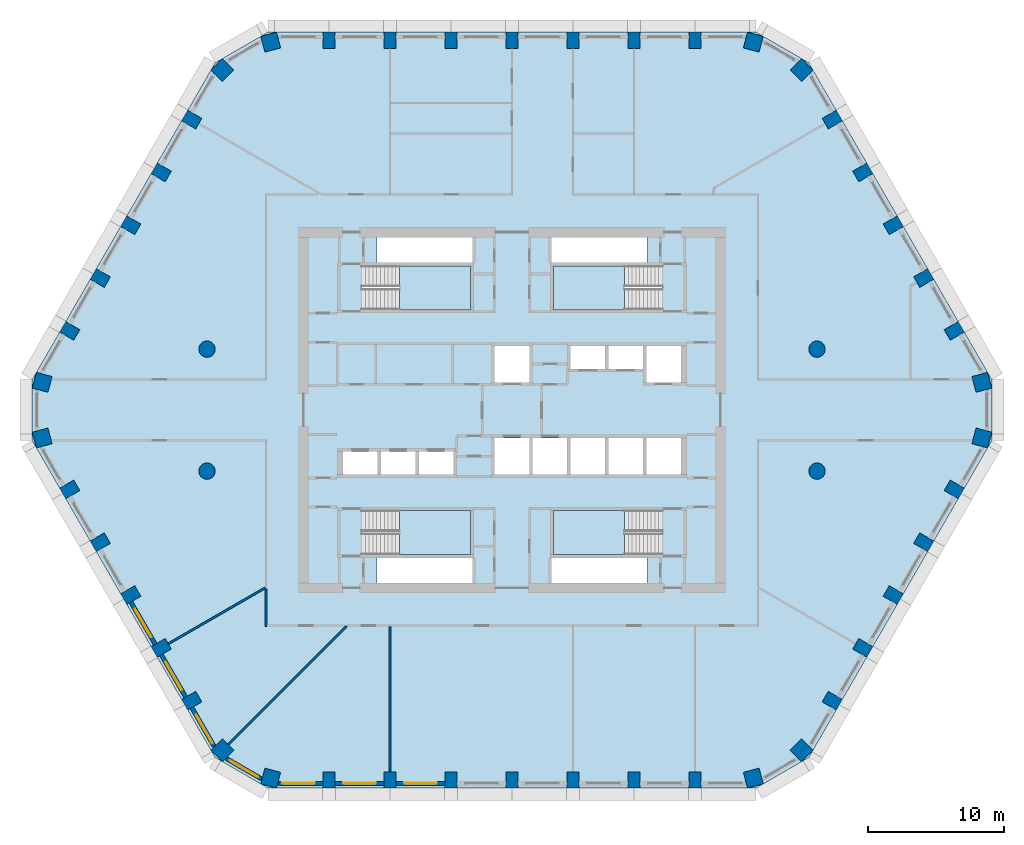
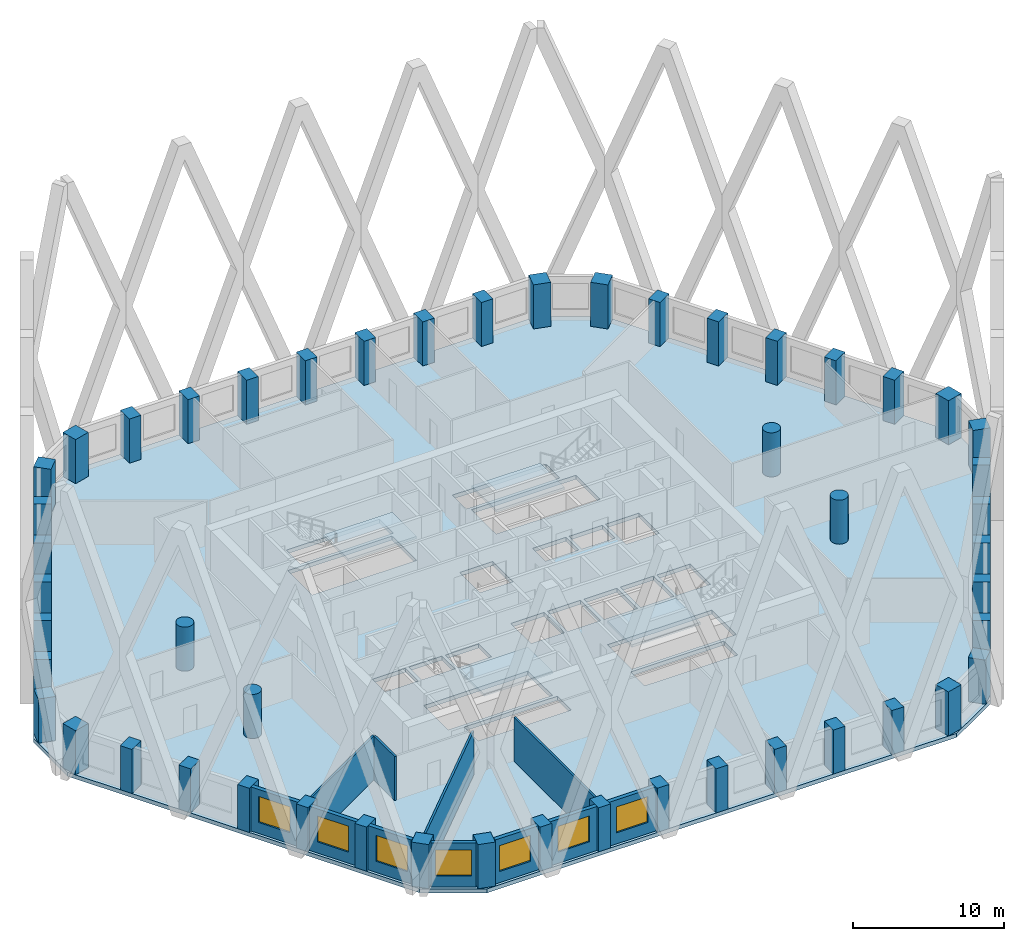
# One storey, part 1 of 17: 50 columns, 11 walls, 7 windows, 5 slabs, 7 openings, 4 elements without a shape of their own.
"""IFC4 building model written with IfcOpenShell, lengths in metres."""

from ifc_helpers import new_model, si_unit, direction, frame, frame_2d, origin, origin_2d, place, context, subcontext, project, spatial, polyline, rectangle, circle, outline, extrude, material, layer, layer_set, material_profile, profile_set, type_object, element, fill, aggregate, save


model = new_model("IFC4")

# Units and contexts
model_context = context("Model", 3, precision=1e-05, world=origin(), true_north=direction((0.0, 1.0)))
body_context = subcontext(model_context, "Body", "Model", "MODEL_VIEW")
ifc_project = project(units=[si_unit("LENGTHUNIT", "METRE"), si_unit("AREAUNIT", "SQUARE_METRE"), si_unit("VOLUMEUNIT", "CUBIC_METRE"), si_unit("PLANEANGLEUNIT", "RADIAN"), si_unit("MASSUNIT", "GRAM", prefix="KILO")], contexts=[model_context])

# Site, building, storey
site_placement = place(None, origin())
site = spatial("IfcSite", under=ifc_project, at=site_placement, CompositionType="ELEMENT")
building_placement = place(site_placement, origin())
building = spatial("IfcBuilding", under=site, at=building_placement, Name="Dhurran Vertical Campus", CompositionType="ELEMENT")
storey_placement = place(building_placement, frame((0.0, 0.0, 156.0)))
storey = spatial("IfcBuildingStorey", under=building, at=storey_placement, Name="L38", CompositionType="ELEMENT", Elevation=156.0)

# Columns
ifc_material_1 = material(Name="Concrete C60/75", Category="concrete")
ifc_material_profile_1 = material_profile(ifc_material_1, rectangle(XDim=1.199951171875, YDim=1.199951171875, at=origin_2d()), Name="RC 1200x1200")
ifc_profile_set_1 = profile_set([ifc_material_profile_1], Name="Concrete C60/75")
column_type_1 = type_object("IfcColumnType", Name="FR COL RC 1200x1200 C60/75", PredefinedType="COLUMN", material=ifc_profile_set_1)
for number, where, z_axis, x_axis, name in (
    (1, (-17.802978515625, -27.147705078125, 0.0), (0.0, 0.0, 1.0), (0.965925826289, -0.258819045103, 0.0), "Perimeter pier PP3.00"),
    (2, (17.802978515625, -27.147705078125, 0.0), (0.0, 0.0, 1.0), (0.965925826289, 0.258819045103, 0.0), "Perimeter pier PP3.08"),
    (3, (21.359130859375, -25.0947265625, 0.0), (0.0, 0.0, 1.0), (0.707106781187, 0.707106781187, 0.0), "Perimeter pier PP3.09"),
    (4, (34.662353515625, -2.052978515625, 0.0), (0.0, 0.0, 1.0), (0.258819045103, 0.965925826289, 0.0), "Perimeter pier PP3.15"),
    (5, (34.662353515625, 2.052978515625, 0.0), (0.0, 0.0, 1.0), (-0.258819045103, 0.965925826289, 0.0), "Perimeter pier PP3.16"),
    (6, (21.359130859375, 25.0947265625, 0.0), (0.0, 0.0, 1.0), (-0.707106781187, 0.707106781187, 0.0), "Perimeter pier PP3.22"),
    (7, (17.802978515625, 27.147705078125, 0.0), (0.0, 0.0, 1.0), (-0.965925826289, 0.258819045103, 0.0), "Perimeter pier PP3.23"),
    (8, (-17.802978515625, 27.147705078125, 0.0), (0.0, 0.0, 1.0), (-0.965925826289, -0.258819045103, 0.0), "Perimeter pier PP3.31"),
    (9, (-21.359130859375, 25.0947265625, 0.0), (0.0, 0.0, 1.0), (-0.707106781187, -0.707106781187, 0.0), "Perimeter pier PP3.32"),
    (10, (-34.662353515625, 2.052978515625, 0.0), (0.0, 0.0, 1.0), (-0.258819045103, -0.965925826289, 0.0), "Perimeter pier PP3.38"),
    (11, (-34.662353515625, -2.052978515625, 0.0), (0.0, 0.0, 1.0), (0.258819045103, -0.965925826289, 0.0), "Perimeter pier PP3.39"),
    (12, (-21.359130859375, -25.0947265625, 0.0), (0.0, 0.0, 1.0), (0.707106781187, -0.707106781187, 0.0), "Perimeter pier PP3.45"),
):
    element("IfcColumn", number, at=place(storey_placement, frame(where, z_axis=z_axis, x_axis=x_axis)), inside=storey, type_object=column_type_1, Name=name, PredefinedType="COLUMN", context=body_context, shape_type="SweptSolid", body=[
        extrude(rectangle(XDim=1.199951171875, YDim=1.199951171875, at=origin_2d()), origin(), (0.0, 0.0, 1.0), 3.574951171875),
    ])
ifc_material_2 = material(Name="Concrete C60/75", Category="concrete")
ifc_material_profile_2 = material_profile(ifc_material_2, rectangle(XDim=0.89990234375, YDim=1.199951171875, at=origin_2d()), Name="RC 900x1200")
ifc_profile_set_2 = profile_set([ifc_material_profile_2], Name="Concrete C60/75")
column_type_2 = type_object("IfcColumnType", Name="FR COL RC 900x1200 C60/75", PredefinedType="COLUMN", material=ifc_profile_set_2)
for number, where, z_axis, x_axis, name in (
    (13, (-13.5, -27.28271484375, 0.0), (0.0, 0.0, 1.0), (1.0, 0.0, 0.0), "Perimeter pier PP3.01"),
    (14, (-9.0, -27.28271484375, 0.0), (0.0, 0.0, 1.0), (1.0, 0.0, 0.0), "Perimeter pier PP3.02"),
    (15, (-4.5, -27.28271484375, 0.0), (0.0, 0.0, 1.0), (1.0, 0.0, 0.0), "Perimeter pier PP3.03"),
    (16, (0.0, -27.28271484375, 0.0), (0.0, 0.0, 1.0), (1.0, 0.0, 0.0), "Perimeter pier PP3.04"),
    (17, (4.5, -27.28271484375, 0.0), (0.0, 0.0, 1.0), (1.0, 0.0, 0.0), "Perimeter pier PP3.05"),
    (18, (9.0, -27.28271484375, 0.0), (0.0, 0.0, 1.0), (1.0, 0.0, 0.0), "Perimeter pier PP3.06"),
    (19, (13.5, -27.28271484375, 0.0), (0.0, 0.0, 1.0), (1.0, 0.0, 0.0), "Perimeter pier PP3.07"),
    (20, (23.62744140625, -21.435546875, 0.0), (0.0, 0.0, 1.0), (0.5, 0.866025403784, 0.0), "Perimeter pier PP3.10"),
    (21, (25.87744140625, -17.53857421875, 0.0), (0.0, 0.0, 1.0), (0.5, 0.866025403784, 0.0), "Perimeter pier PP3.11"),
    (22, (28.12744140625, -13.641357421875, 0.0), (0.0, 0.0, 1.0), (0.5, 0.866025403784, 0.0), "Perimeter pier PP3.12"),
    (23, (30.37744140625, -9.744140625, 0.0), (0.0, 0.0, 1.0), (0.5, 0.866025403784, 0.0), "Perimeter pier PP3.13"),
    (24, (32.62744140625, -5.84716796875, 0.0), (0.0, 0.0, 1.0), (0.5, 0.866025403784, 0.0), "Perimeter pier PP3.14"),
    (25, (32.62744140625, 5.84716796875, 0.0), (0.0, 0.0, 1.0), (-0.5, 0.866025403784, 0.0), "Perimeter pier PP3.17"),
    (26, (30.37744140625, 9.744140625, 0.0), (0.0, 0.0, 1.0), (-0.5, 0.866025403784, 0.0), "Perimeter pier PP3.18"),
    (27, (28.12744140625, 13.641357421875, 0.0), (0.0, 0.0, 1.0), (-0.5, 0.866025403784, 0.0), "Perimeter pier PP3.19"),
    (28, (25.87744140625, 17.53857421875, 0.0), (0.0, 0.0, 1.0), (-0.5, 0.866025403784, 0.0), "Perimeter pier PP3.20"),
    (29, (23.62744140625, 21.435546875, 0.0), (0.0, 0.0, 1.0), (-0.5, 0.866025403784, 0.0), "Perimeter pier PP3.21"),
    (30, (13.5, 27.28271484375, 0.0), (0.0, 0.0, 1.0), (-1.0, 0.0, 0.0), "Perimeter pier PP3.24"),
    (31, (9.0, 27.28271484375, 0.0), (0.0, 0.0, 1.0), (-1.0, 0.0, 0.0), "Perimeter pier PP3.25"),
    (32, (4.5, 27.28271484375, 0.0), (0.0, 0.0, 1.0), (-1.0, 0.0, 0.0), "Perimeter pier PP3.26"),
    (33, (0.0, 27.28271484375, 0.0), (0.0, 0.0, 1.0), (-1.0, 0.0, 0.0), "Perimeter pier PP3.27"),
    (34, (-4.5, 27.28271484375, 0.0), (0.0, 0.0, 1.0), (-1.0, 0.0, 0.0), "Perimeter pier PP3.28"),
    (35, (-9.0, 27.28271484375, 0.0), (0.0, 0.0, 1.0), (-1.0, 0.0, 0.0), "Perimeter pier PP3.29"),
    (36, (-13.5, 27.28271484375, 0.0), (0.0, 0.0, 1.0), (-1.0, 0.0, 0.0), "Perimeter pier PP3.30"),
    (37, (-23.62744140625, 21.435546875, 0.0), (0.0, 0.0, 1.0), (-0.5, -0.866025403784, 0.0), "Perimeter pier PP3.33"),
    (38, (-25.87744140625, 17.53857421875, 0.0), (0.0, 0.0, 1.0), (-0.5, -0.866025403784, 0.0), "Perimeter pier PP3.34"),
    (39, (-28.12744140625, 13.641357421875, 0.0), (0.0, 0.0, 1.0), (-0.5, -0.866025403784, 0.0), "Perimeter pier PP3.35"),
    (40, (-30.37744140625, 9.744140625, 0.0), (0.0, 0.0, 1.0), (-0.5, -0.866025403784, 0.0), "Perimeter pier PP3.36"),
    (41, (-32.62744140625, 5.84716796875, 0.0), (0.0, 0.0, 1.0), (-0.5, -0.866025403784, 0.0), "Perimeter pier PP3.37"),
    (42, (-32.62744140625, -5.84716796875, 0.0), (0.0, 0.0, 1.0), (0.5, -0.866025403784, 0.0), "Perimeter pier PP3.40"),
    (43, (-30.37744140625, -9.744140625, 0.0), (0.0, 0.0, 1.0), (0.5, -0.866025403784, 0.0), "Perimeter pier PP3.41"),
    (44, (-28.12744140625, -13.641357421875, 0.0), (0.0, 0.0, 1.0), (0.5, -0.866025403784, 0.0), "Perimeter pier PP3.42"),
    (45, (-25.87744140625, -17.53857421875, 0.0), (0.0, 0.0, 1.0), (0.5, -0.866025403784, 0.0), "Perimeter pier PP3.43"),
    (46, (-23.62744140625, -21.435546875, 0.0), (0.0, 0.0, 1.0), (0.5, -0.866025403784, 0.0), "Perimeter pier PP3.44"),
):
    element("IfcColumn", number, at=place(storey_placement, frame(where, z_axis=z_axis, x_axis=x_axis)), inside=storey, type_object=column_type_2, Name=name, PredefinedType="COLUMN", context=body_context, shape_type="SweptSolid", body=[
        extrude(rectangle(XDim=0.89990234375, YDim=1.199951171875, at=origin_2d()), origin(), (0.0, 0.0, 1.0), 3.574951171875),
    ])
ifc_material_3 = material(Name="Concrete C60/75", Category="concrete")
ifc_material_profile_3 = material_profile(ifc_material_3, circle(Radius=0.60009765625, at=origin_2d()), Name="RCC D1200")
ifc_profile_set_3 = profile_set([ifc_material_profile_3], Name="Concrete C60/75")
column_type_3 = type_object("IfcColumnType", Name="FR COL RCC D1200 C60/75", PredefinedType="COLUMN", material=ifc_profile_set_3)
for number, where, z_axis, x_axis, name in (
    (47, (-22.5, -4.5, 0.0), (0.0, 0.0, 1.0), (1.0, 0.0, 0.0), "Inner column IC3-D5"),
    (48, (-22.5, 4.5, 0.0), (0.0, 0.0, 1.0), (1.0, 0.0, 0.0), "Inner column IC3-D6"),
    (49, (22.5, -4.5, 0.0), (0.0, 0.0, 1.0), (1.0, 0.0, 0.0), "Inner column IC3-J5"),
    (50, (22.5, 4.5, 0.0), (0.0, 0.0, 1.0), (1.0, 0.0, 0.0), "Inner column IC3-J6"),
):
    element("IfcColumn", number, at=place(storey_placement, frame(where, z_axis=z_axis, x_axis=x_axis)), inside=storey, type_object=column_type_3, Name=name, PredefinedType="COLUMN", context=body_context, shape_type="SweptSolid", body=[
        extrude(circle(Radius=0.60009765625, at=origin_2d()), origin(), (0.0, 0.0, 1.0), 3.574951171875),
    ])

# Slab
ifc_material_4 = material(Name="Concrete C40/50", Category="concrete")
ifc_layer_1 = layer(ifc_material_4, 0.324951171875)
ifc_layer_set_1 = layer_set([ifc_layer_1], Name="Concrete C40/50")
slab_type_1 = type_object("IfcSlabType", Name="FR POST-TENSIONED FLAT SLAB 325", PredefinedType="FLOOR", material=ifc_layer_set_1)
slab_1_placement = place(storey_placement, frame((0.0, 0.0, -0.324951171875)))
element("IfcSlab", 51, at=slab_1_placement, inside=storey, type_object=slab_type_1, Name="Floor slab L38", PredefinedType="FLOOR", context=body_context, shape_type="SweptSolid", body=[
    extrude(outline(polyline([(-18.0, -27.8828125), (18.0, -27.8828125), (21.897216796875, -25.6328125), (35.397216796875, -2.25), (35.397216796875, 2.25), (21.897216796875, 25.6328125), (18.0, 27.8828125), (-18.0, 27.8828125), (-21.897216796875, 25.6328125), (-35.397216796875, 2.25), (-35.397216796875, -2.25), (-21.897216796875, -25.6328125), (-18.0, -27.8828125)]), holes=[polyline([(-1.27490234375, 2.050048828125), (1.27490234375, 2.050048828125), (1.27490234375, 4.75), (-1.27490234375, 4.75), (-1.27490234375, 2.050048828125)]), polyline([(9.925048828125, 2.050048828125), (12.47509765625, 2.050048828125), (12.47509765625, 4.75), (9.925048828125, 4.75), (9.925048828125, 2.050048828125)]), polyline([(-1.27490234375, -4.75), (1.27490234375, -4.75), (1.27490234375, -2.050048828125), (-1.27490234375, -2.050048828125), (-1.27490234375, -4.75)]), polyline([(1.52490234375, -4.75), (4.074951171875, -4.75), (4.074951171875, -2.050048828125), (1.52490234375, -2.050048828125), (1.52490234375, -4.75)]), polyline([(4.324951171875, -4.75), (6.875, -4.75), (6.875, -2.050048828125), (4.324951171875, -2.050048828125), (4.324951171875, -4.75)]), polyline([(7.125, -4.75), (9.675048828125, -4.75), (9.675048828125, -2.050048828125), (7.125, -2.050048828125), (7.125, -4.75)]), polyline([(9.925048828125, -4.75), (12.47509765625, -4.75), (12.47509765625, -2.050048828125), (9.925048828125, -2.050048828125), (9.925048828125, -4.75)]), polyline([(4.324951171875, 3.050048828125), (6.875, 3.050048828125), (6.875, 4.75), (4.324951171875, 4.75), (4.324951171875, 3.050048828125)]), polyline([(7.125, 3.050048828125), (9.675048828125, 3.050048828125), (9.675048828125, 4.75), (7.125, 4.75), (7.125, 3.050048828125)]), polyline([(-12.47509765625, -4.75), (-9.925048828125, -4.75), (-9.925048828125, -3.050048828125), (-12.47509765625, -3.050048828125), (-12.47509765625, -4.75)]), polyline([(-9.675048828125, -4.75), (-7.125, -4.75), (-7.125, -3.050048828125), (-9.675048828125, -3.050048828125), (-9.675048828125, -4.75)]), polyline([(-6.875, -4.75), (-4.324951171875, -4.75), (-4.324951171875, -3.050048828125), (-6.875, -3.050048828125), (-6.875, -4.75)]), polyline([(-11.050048828125, 7.39990234375), (-3.050048828125, 7.39990234375), (-3.050048828125, 10.64990234375), (-11.050048828125, 10.64990234375), (-11.050048828125, 7.39990234375)]), polyline([(3.050048828125, 7.39990234375), (11.050048828125, 7.39990234375), (11.050048828125, 10.64990234375), (3.050048828125, 10.64990234375), (3.050048828125, 7.39990234375)]), polyline([(-11.050048828125, -10.64990234375), (-3.050048828125, -10.64990234375), (-3.050048828125, -7.39990234375), (-11.050048828125, -7.39990234375), (-11.050048828125, -10.64990234375)]), polyline([(3.050048828125, -10.64990234375), (11.050048828125, -10.64990234375), (11.050048828125, -7.39990234375), (3.050048828125, -7.39990234375), (3.050048828125, -10.64990234375)]), polyline([(-9.949951171875, 10.89990234375), (-9.949951171875, 12.75), (-2.800048828125, 12.75), (-2.800048828125, 10.89990234375), (-9.949951171875, 10.89990234375)]), polyline([(9.949951171875, 12.75), (9.949951171875, 10.89990234375), (2.800048828125, 10.89990234375), (2.800048828125, 12.75), (9.949951171875, 12.75)]), polyline([(-9.949951171875, -12.75), (-9.949951171875, -10.89990234375), (-2.800048828125, -10.89990234375), (-2.800048828125, -12.75), (-9.949951171875, -12.75)]), polyline([(9.949951171875, -10.89990234375), (9.949951171875, -12.75), (2.800048828125, -12.75), (2.800048828125, -10.89990234375), (9.949951171875, -10.89990234375)])]), origin(), (0.0, 0.0, 1.0), 0.324951171875),
])

# Stair, slab
ifc_material_5 = material(Name="Concrete C40/50", Category="concrete")
stair_type = type_object("IfcStairType", Name="co-ST-CORE", PredefinedType="HALF_TURN_STAIR", material=ifc_material_5)
stair_1_placement = place(storey_placement, origin())
stair_1 = element("IfcStair", 52, at=stair_1_placement, inside=storey, type_object=stair_type, Name="L38 Protected exit stair ST1", PredefinedType="HALF_TURN_STAIR")
ifc_material_6 = material(Name="Concrete C40/50", Category="concrete")
ifc_layer_2 = layer(ifc_material_6, 0.199951171875)
ifc_layer_set_2 = layer_set([ifc_layer_2], Name="Concrete C40/50")
slab_type_2 = type_object("IfcSlabType", Name="co-SL-LANDING", PredefinedType="LANDING", material=ifc_layer_set_2)
slab_2_placement = place(storey_placement, frame((0.0, 0.0, 1.75)))
slab_2 = element("IfcSlab", 53, at=slab_2_placement, type_object=slab_type_2, Name="ST1 landing 1", PredefinedType="LANDING", context=body_context, shape_type="SweptSolid", body=[
    extrude(outline(polyline([(-8.300048828125, 7.39990234375), (-3.050048828125, 7.39990234375), (-3.050048828125, 10.64990234375), (-8.300048828125, 10.64990234375), (-8.300048828125, 7.39990234375)])), origin(), (0.0, 0.0, 1.0), 0.199951171875),
])
aggregate(stair_1, [slab_2])

stair_2_placement = place(storey_placement, origin())
stair_2 = element("IfcStair", 54, at=stair_2_placement, inside=storey, type_object=stair_type, Name="L38 Protected exit stair ST2", PredefinedType="HALF_TURN_STAIR")
slab_3_placement = place(storey_placement, frame((0.0, 0.0, 1.75)))
slab_3 = element("IfcSlab", 55, at=slab_3_placement, type_object=slab_type_2, Name="ST2 landing 1", PredefinedType="LANDING", context=body_context, shape_type="SweptSolid", body=[
    extrude(outline(polyline([(8.300048828125, 10.64990234375), (3.050048828125, 10.64990234375), (3.050048828125, 7.39990234375), (8.300048828125, 7.39990234375), (8.300048828125, 10.64990234375)])), origin(), (0.0, 0.0, 1.0), 0.199951171875),
])
aggregate(stair_2, [slab_3])

stair_3_placement = place(storey_placement, origin())
stair_3 = element("IfcStair", 56, at=stair_3_placement, inside=storey, type_object=stair_type, Name="L38 Protected exit stair ST3", PredefinedType="HALF_TURN_STAIR")
slab_4_placement = place(storey_placement, frame((0.0, 0.0, 1.75)))
slab_4 = element("IfcSlab", 57, at=slab_4_placement, type_object=slab_type_2, Name="ST3 landing 1", PredefinedType="LANDING", context=body_context, shape_type="SweptSolid", body=[
    extrude(outline(polyline([(-8.300048828125, -10.64990234375), (-3.050048828125, -10.64990234375), (-3.050048828125, -7.39990234375), (-8.300048828125, -7.39990234375), (-8.300048828125, -10.64990234375)])), origin(), (0.0, 0.0, 1.0), 0.199951171875),
])
aggregate(stair_3, [slab_4])

stair_4_placement = place(storey_placement, origin())
stair_4 = element("IfcStair", 58, at=stair_4_placement, inside=storey, type_object=stair_type, Name="L38 Protected exit stair ST4", PredefinedType="HALF_TURN_STAIR")
slab_5_placement = place(storey_placement, frame((0.0, 0.0, 1.75)))
slab_5 = element("IfcSlab", 59, at=slab_5_placement, type_object=slab_type_2, Name="ST4 landing 1", PredefinedType="LANDING", context=body_context, shape_type="SweptSolid", body=[
    extrude(outline(polyline([(8.300048828125, -7.39990234375), (3.050048828125, -7.39990234375), (3.050048828125, -10.64990234375), (8.300048828125, -10.64990234375), (8.300048828125, -7.39990234375)])), origin(), (0.0, 0.0, 1.0), 0.199951171875),
])
aggregate(stair_4, [slab_5])

# Wall, opening, window
ifc_material_7 = material(Name="Precast concrete C50/60", Category="concrete")
ifc_layer_3 = layer(ifc_material_7, 0.300048828125)
ifc_layer_set_3 = layer_set([ifc_layer_3], Name="Precast concrete C50/60")
wall_type_1 = type_object("IfcWallType", Name="Precast spandrel wall 300", PredefinedType="SOLIDWALL", material=ifc_layer_set_3)
wall_1_placement = place(storey_placement, frame((-17.24462890625, -27.53271484375, 0.0), z_axis=(0.0, 0.0, 1.0), x_axis=(1.0, 0.0, 0.0)))
wall_1 = element("IfcWall", 60, at=wall_1_placement, inside=storey, type_object=wall_type_1, Name="EW1 L38.00", PredefinedType="SOLIDWALL", context=body_context, shape_type="SweptSolid", body=[
    extrude(rectangle(XDim=3.294189453125, YDim=0.300048828125, at=frame_2d((1.64697265625, 0.0))), origin(), (0.0, 0.0, 1.0), 3.574951171875),
])
opening_1_placement = place(wall_1_placement, frame((0.294677734375, 0.0, 0.89990234375)))
opening_1 = element("IfcOpeningElement", 61, at=opening_1_placement, cuts=wall_1, Name="Opening WT1", PredefinedType="OPENING", context=body_context, shape_type="SweptSolid", body=[
    extrude(rectangle(XDim=2.39990234375, YDim=2.10009765625, at=frame_2d((1.199951171875, 1.050048828125))), frame((0.0, 0.159912109375, 0.0), z_axis=(0.0, -1.0, 0.0), x_axis=(1.0, 0.0, 0.0)), (0.0, 0.0, 1.0), 0.320068359375),
])
ifc_material_8 = material(Name="Aluminium frame with solar-control glass", Category="aluminium")
window_type = type_object("IfcWindowType", Name="Punched window 2400 x 2100", PartitioningType="SINGLE_PANEL", PredefinedType="WINDOW", material=ifc_material_8)
window_1_placement = place(opening_1_placement, origin())
window_1 = element("IfcWindow", 62, at=window_1_placement, inside=storey, type_object=window_type, Name="WT1 L38.00", OverallHeight=2.10009765625, OverallWidth=2.39990234375, PartitioningType="SINGLE_PANEL", PredefinedType="WINDOW", context=body_context, shape_type="SweptSolid", body=[
    extrude(rectangle(XDim=2.39990234375, YDim=2.10009765625, at=frame_2d((1.199951171875, 1.050048828125))), frame((0.0, 0.030029296875, 0.0), z_axis=(0.0, -1.0, 0.0), x_axis=(1.0, 0.0, 0.0)), (0.0, 0.0, 1.0), 0.06005859375),
])
fill(opening_1, window_1)

wall_2_placement = place(storey_placement, frame((-13.049560546875, -27.53271484375, 0.0), z_axis=(0.0, 0.0, 1.0), x_axis=(1.0, 0.0, 0.0)))
wall_2 = element("IfcWall", 63, at=wall_2_placement, inside=storey, type_object=wall_type_1, Name="EW1 L38.01", PredefinedType="SOLIDWALL", context=body_context, shape_type="SweptSolid", body=[
    extrude(rectangle(XDim=3.59912109375, YDim=0.300048828125, at=frame_2d((1.799560546875, 0.0))), origin(), (0.0, 0.0, 1.0), 3.574951171875),
])
opening_2_placement = place(wall_2_placement, frame((0.599609375, 0.0, 0.89990234375)))
opening_2 = element("IfcOpeningElement", 64, at=opening_2_placement, cuts=wall_2, Name="Opening WT1", PredefinedType="OPENING", context=body_context, shape_type="SweptSolid", body=[
    extrude(rectangle(XDim=2.39990234375, YDim=2.10009765625, at=frame_2d((1.199951171875, 1.050048828125))), frame((0.0, 0.159912109375, 0.0), z_axis=(0.0, -1.0, 0.0), x_axis=(1.0, 0.0, 0.0)), (0.0, 0.0, 1.0), 0.320068359375),
])
window_2_placement = place(opening_2_placement, origin())
window_2 = element("IfcWindow", 65, at=window_2_placement, inside=storey, type_object=window_type, Name="WT1 L38.01", OverallHeight=2.10009765625, OverallWidth=2.39990234375, PartitioningType="SINGLE_PANEL", PredefinedType="WINDOW", context=body_context, shape_type="SweptSolid", body=[
    extrude(rectangle(XDim=2.39990234375, YDim=2.10009765625, at=frame_2d((1.199951171875, 1.050048828125))), frame((0.0, 0.030029296875, 0.0), z_axis=(0.0, -1.0, 0.0), x_axis=(1.0, 0.0, 0.0)), (0.0, 0.0, 1.0), 0.06005859375),
])
fill(opening_2, window_2)

wall_3_placement = place(storey_placement, frame((-8.549560546875, -27.53271484375, 0.0), z_axis=(0.0, 0.0, 1.0), x_axis=(1.0, 0.0, 0.0)))
wall_3 = element("IfcWall", 66, at=wall_3_placement, inside=storey, type_object=wall_type_1, Name="EW1 L38.02", PredefinedType="SOLIDWALL", context=body_context, shape_type="SweptSolid", body=[
    extrude(rectangle(XDim=3.59912109375, YDim=0.300048828125, at=frame_2d((1.799560546875, 0.0))), origin(), (0.0, 0.0, 1.0), 3.574951171875),
])
opening_3_placement = place(wall_3_placement, frame((0.599609375, 0.0, 0.89990234375)))
opening_3 = element("IfcOpeningElement", 67, at=opening_3_placement, cuts=wall_3, Name="Opening WT1", PredefinedType="OPENING", context=body_context, shape_type="SweptSolid", body=[
    extrude(rectangle(XDim=2.39990234375, YDim=2.10009765625, at=frame_2d((1.199951171875, 1.050048828125))), frame((0.0, 0.159912109375, 0.0), z_axis=(0.0, -1.0, 0.0), x_axis=(1.0, 0.0, 0.0)), (0.0, 0.0, 1.0), 0.320068359375),
])
window_3_placement = place(opening_3_placement, origin())
window_3 = element("IfcWindow", 68, at=window_3_placement, inside=storey, type_object=window_type, Name="WT1 L38.02", OverallHeight=2.10009765625, OverallWidth=2.39990234375, PartitioningType="SINGLE_PANEL", PredefinedType="WINDOW", context=body_context, shape_type="SweptSolid", body=[
    extrude(rectangle(XDim=2.39990234375, YDim=2.10009765625, at=frame_2d((1.199951171875, 1.050048828125))), frame((0.0, 0.030029296875, 0.0), z_axis=(0.0, -1.0, 0.0), x_axis=(1.0, 0.0, 0.0)), (0.0, 0.0, 1.0), 0.06005859375),
])
fill(opening_3, window_3)

wall_4_placement = place(storey_placement, frame((-28.118896484375, -14.156494140625, 0.0), z_axis=(0.0, 0.0, 1.0), x_axis=(0.500027802648, -0.866009351323, 0.0)))
wall_4 = element("IfcWall", 69, at=wall_4_placement, inside=storey, type_object=wall_type_1, Name="EW1 L38.42", PredefinedType="SOLIDWALL", context=body_context, shape_type="SweptSolid", body=[
    extrude(rectangle(XDim=3.598876953125, YDim=0.300048828125, at=frame_2d((1.79931640625, 0.0))), origin(), (0.0, 0.0, 1.0), 3.574951171875),
])
opening_4_placement = place(wall_4_placement, frame((0.599609375, 0.0, 0.89990234375)))
opening_4 = element("IfcOpeningElement", 70, at=opening_4_placement, cuts=wall_4, Name="Opening WT1", PredefinedType="OPENING", context=body_context, shape_type="SweptSolid", body=[
    extrude(rectangle(XDim=2.39990234375, YDim=2.10009765625, at=frame_2d((1.199951171875, 1.050048828125))), frame((0.0, 0.159912109375, 0.0), z_axis=(0.0, -1.0, 0.0), x_axis=(1.0, 0.0, 0.0)), (0.0, 0.0, 1.0), 0.320068359375),
])
window_4_placement = place(opening_4_placement, origin())
window_4 = element("IfcWindow", 71, at=window_4_placement, inside=storey, type_object=window_type, Name="WT1 L38.42", OverallHeight=2.10009765625, OverallWidth=2.39990234375, PartitioningType="SINGLE_PANEL", PredefinedType="WINDOW", context=body_context, shape_type="SweptSolid", body=[
    extrude(rectangle(XDim=2.39990234375, YDim=2.10009765625, at=frame_2d((1.199951171875, 1.050048828125))), frame((0.0, 0.030029296875, 0.0), z_axis=(0.0, -1.0, 0.0), x_axis=(1.0, 0.0, 0.0)), (0.0, 0.0, 1.0), 0.06005859375),
])
fill(opening_4, window_4)

wall_5_placement = place(storey_placement, frame((-25.868896484375, -18.0537109375, 0.0), z_axis=(0.0, 0.0, 1.0), x_axis=(0.500027802648, -0.866009351323, 0.0)))
wall_5 = element("IfcWall", 72, at=wall_5_placement, inside=storey, type_object=wall_type_1, Name="EW1 L38.43", PredefinedType="SOLIDWALL", context=body_context, shape_type="SweptSolid", body=[
    extrude(rectangle(XDim=3.598876953125, YDim=0.300048828125, at=frame_2d((1.79931640625, 0.0))), origin(), (0.0, 0.0, 1.0), 3.574951171875),
])
opening_5_placement = place(wall_5_placement, frame((0.599609375, 0.0, 0.89990234375)))
opening_5 = element("IfcOpeningElement", 73, at=opening_5_placement, cuts=wall_5, Name="Opening WT1", PredefinedType="OPENING", context=body_context, shape_type="SweptSolid", body=[
    extrude(rectangle(XDim=2.39990234375, YDim=2.10009765625, at=frame_2d((1.199951171875, 1.050048828125))), frame((0.0, 0.159912109375, 0.0), z_axis=(0.0, -1.0, 0.0), x_axis=(1.0, 0.0, 0.0)), (0.0, 0.0, 1.0), 0.320068359375),
])
window_5_placement = place(opening_5_placement, origin())
window_5 = element("IfcWindow", 74, at=window_5_placement, inside=storey, type_object=window_type, Name="WT1 L38.43", OverallHeight=2.10009765625, OverallWidth=2.39990234375, PartitioningType="SINGLE_PANEL", PredefinedType="WINDOW", context=body_context, shape_type="SweptSolid", body=[
    extrude(rectangle(XDim=2.39990234375, YDim=2.10009765625, at=frame_2d((1.199951171875, 1.050048828125))), frame((0.0, 0.030029296875, 0.0), z_axis=(0.0, -1.0, 0.0), x_axis=(1.0, 0.0, 0.0)), (0.0, 0.0, 1.0), 0.06005859375),
])
fill(opening_5, window_5)

wall_6_placement = place(storey_placement, frame((-23.618896484375, -21.95068359375, 0.0), z_axis=(0.0, 0.0, 1.0), x_axis=(0.500036802197, -0.866004154983, 0.0)))
wall_6 = element("IfcWall", 75, at=wall_6_placement, inside=storey, type_object=wall_type_1, Name="EW1 L38.44", PredefinedType="SOLIDWALL", context=body_context, shape_type="SweptSolid", body=[
    extrude(rectangle(XDim=3.294189453125, YDim=0.300048828125, at=frame_2d((1.64697265625, 0.0))), origin(), (0.0, 0.0, 1.0), 3.574951171875),
])
opening_6_placement = place(wall_6_placement, frame((0.599609375, 0.0, 0.89990234375)))
opening_6 = element("IfcOpeningElement", 76, at=opening_6_placement, cuts=wall_6, Name="Opening WT1", PredefinedType="OPENING", context=body_context, shape_type="SweptSolid", body=[
    extrude(rectangle(XDim=2.39990234375, YDim=2.10009765625, at=frame_2d((1.199951171875, 1.050048828125))), frame((0.0, 0.159912109375, 0.0), z_axis=(0.0, -1.0, 0.0), x_axis=(1.0, 0.0, 0.0)), (0.0, 0.0, 1.0), 0.320068359375),
])
window_6_placement = place(opening_6_placement, origin())
window_6 = element("IfcWindow", 77, at=window_6_placement, inside=storey, type_object=window_type, Name="WT1 L38.44", OverallHeight=2.10009765625, OverallWidth=2.39990234375, PartitioningType="SINGLE_PANEL", PredefinedType="WINDOW", context=body_context, shape_type="SweptSolid", body=[
    extrude(rectangle(XDim=2.39990234375, YDim=2.10009765625, at=frame_2d((1.199951171875, 1.050048828125))), frame((0.0, 0.030029296875, 0.0), z_axis=(0.0, -1.0, 0.0), x_axis=(1.0, 0.0, 0.0)), (0.0, 0.0, 1.0), 0.06005859375),
])
fill(opening_6, window_6)

wall_7_placement = place(storey_placement, frame((-21.06787109375, -25.707275390625, 0.0), z_axis=(0.0, 0.0, 1.0), x_axis=(0.866012844897, -0.500021752, 0.0)))
wall_7 = element("IfcWall", 78, at=wall_7_placement, inside=storey, type_object=wall_type_1, Name="EW1 L38.45", PredefinedType="SOLIDWALL", context=body_context, shape_type="SweptSolid", body=[
    extrude(rectangle(XDim=2.989013671875, YDim=0.300048828125, at=frame_2d((1.49462890625, 0.0))), origin(), (0.0, 0.0, 1.0), 3.574951171875),
])
opening_7_placement = place(wall_7_placement, frame((0.294677734375, 0.0, 0.89990234375)))
opening_7 = element("IfcOpeningElement", 79, at=opening_7_placement, cuts=wall_7, Name="Opening WT1", PredefinedType="OPENING", context=body_context, shape_type="SweptSolid", body=[
    extrude(rectangle(XDim=2.39990234375, YDim=2.10009765625, at=frame_2d((1.199951171875, 1.050048828125))), frame((0.0, 0.159912109375, 0.0), z_axis=(0.0, -1.0, 0.0), x_axis=(1.0, 0.0, 0.0)), (0.0, 0.0, 1.0), 0.320068359375),
])
window_7_placement = place(opening_7_placement, origin())
window_7 = element("IfcWindow", 80, at=window_7_placement, inside=storey, type_object=window_type, Name="WT1 L38.45", OverallHeight=2.10009765625, OverallWidth=2.39990234375, PartitioningType="SINGLE_PANEL", PredefinedType="WINDOW", context=body_context, shape_type="SweptSolid", body=[
    extrude(rectangle(XDim=2.39990234375, YDim=2.10009765625, at=frame_2d((1.199951171875, 1.050048828125))), frame((0.0, 0.030029296875, 0.0), z_axis=(0.0, -1.0, 0.0), x_axis=(1.0, 0.0, 0.0)), (0.0, 0.0, 1.0), 0.06005859375),
])
fill(opening_7, window_7)

# Walls
ifc_material_9 = material(Name="Gypsum board corridor wall on steel studs", Category="steel")
ifc_layer_4 = layer(ifc_material_9, 0.14990234375)
ifc_layer_set_4 = layer_set([ifc_layer_4], Name="Gypsum board corridor wall on steel studs")
wall_type_2 = type_object("IfcWallType", Name="fl-CW-150 corridor wall", PredefinedType="PARTITIONING", material=ifc_layer_set_4)
wall_8_placement = place(storey_placement, frame((-18.14990234375, -13.20703125, 0.0), z_axis=(0.0, 0.0, 1.0), x_axis=(0.0, -1.0, 0.0)))
element("IfcWall", 81, at=wall_8_placement, inside=storey, type_object=wall_type_2, Name="Partition 38-06", PredefinedType="PARTITIONING", context=body_context, shape_type="SweptSolid", body=[
    extrude(rectangle(XDim=2.76806640625, YDim=0.14990234375, at=frame_2d((1.384033203125, 0.0))), origin(), (0.0, 0.0, 1.0), 3.574951171875),
])
ifc_material_10 = material(Name="Folding acoustic partition panels")
ifc_layer_5 = layer(ifc_material_10, 0.14990234375)
ifc_layer_set_5 = layer_set([ifc_layer_5], Name="Folding acoustic partition panels")
wall_type_3 = type_object("IfcWallType", Name="fl-MW-150 movable partition", PredefinedType="MOVABLE", material=ifc_layer_set_5)
wall_9_placement = place(storey_placement, frame((-18.215087890625, -13.114501953125, 0.0), z_axis=(0.0, 0.0, 1.0), x_axis=(-0.866039823271, -0.499975023885, 0.0)))
element("IfcWall", 82, at=wall_9_placement, inside=storey, type_object=wall_type_3, Name="Partition 38-03", PredefinedType="MOVABLE", context=body_context, shape_type="SweptSolid", body=[
    extrude(rectangle(XDim=8.22802734375, YDim=0.14990234375, at=frame_2d((4.114013671875, 0.0))), origin(), (0.0, 0.0, 1.0), 3.574951171875),
])
wall_10_placement = place(storey_placement, frame((-12.217041015625, -15.952880859375, 0.0), z_axis=(0.0, 0.0, 1.0), x_axis=(-0.707096863632, -0.707116698602, 0.0)))
element("IfcWall", 83, at=wall_10_placement, inside=storey, type_object=wall_type_3, Name="Partition 38-05", PredefinedType="MOVABLE", context=body_context, shape_type="SweptSolid", body=[
    extrude(rectangle(XDim=12.30859375, YDim=0.14990234375, at=frame_2d((6.154296875, 0.0))), origin(), (0.0, 0.0, 1.0), 3.574951171875),
])
wall_11_placement = place(storey_placement, frame((-9.0, -15.97509765625, 0.0), z_axis=(0.0, 0.0, 1.0), x_axis=(0.0, -1.0, 0.0)))
element("IfcWall", 84, at=wall_11_placement, inside=storey, type_object=wall_type_3, Name="Partition 38-13", PredefinedType="MOVABLE", context=body_context, shape_type="SweptSolid", body=[
    extrude(rectangle(XDim=10.6875, YDim=0.14990234375, at=frame_2d((5.34375, 0.0))), origin(), (0.0, 0.0, 1.0), 3.574951171875),
])

save(model, "model.ifc")
